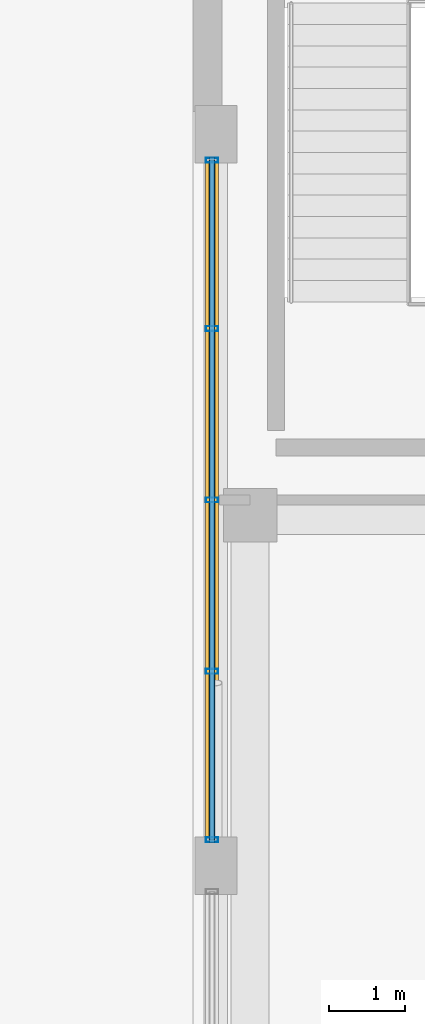
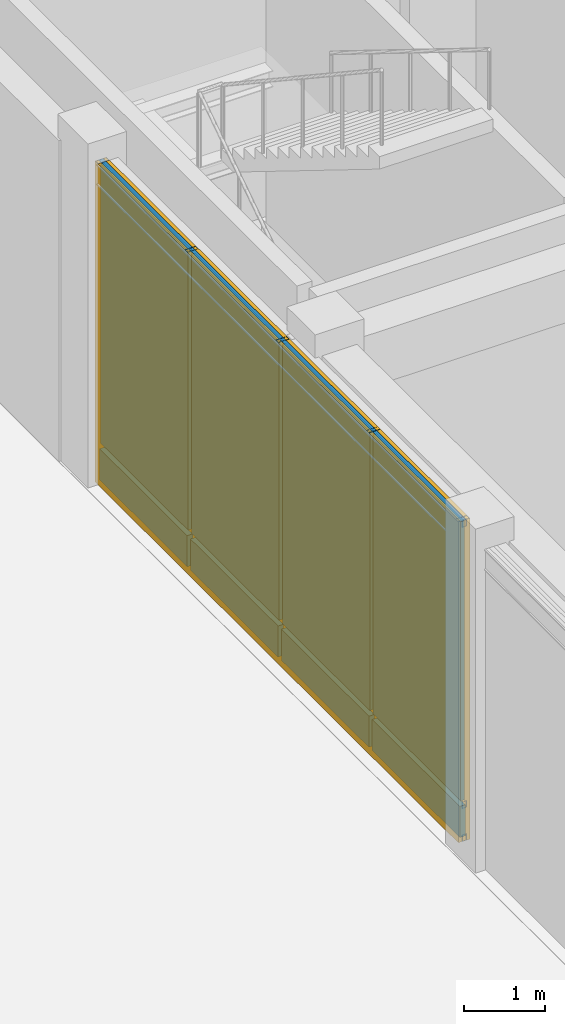
# One storey, part 16 of 24: 8 members, 8 plates, 1 curtain wall.
"""IFC4 building model written with IfcOpenShell, lengths in metres."""

from ifc_helpers import new_model, si_unit, direction, frame, frame_2d, origin, origin_2d, place, context, subcontext, project, spatial, rectangle, hollow_rectangle, extrude, material, layer, layer_set, material_profile, profile_set, type_object, element, aggregate, save


model = new_model("IFC4")

# Units and contexts
model_context = context("Model", 3, precision=1e-05, world=origin(), true_north=direction((0.0, 1.0)))
body_context = subcontext(model_context, "Body", "Model", "MODEL_VIEW")
ifc_project = project(units=[si_unit("LENGTHUNIT", "METRE"), si_unit("AREAUNIT", "SQUARE_METRE"), si_unit("VOLUMEUNIT", "CUBIC_METRE"), si_unit("PLANEANGLEUNIT", "RADIAN"), si_unit("MASSUNIT", "GRAM", prefix="KILO")], contexts=[model_context])

# Member
ifc_material_1 = material(Name="Anodized Aluminium 6063-T6", Category="aluminium")
ifc_material_profile_1 = material_profile(ifc_material_1, hollow_rectangle(XDim=0.06494140625, YDim=0.159912109375, WallThickness=0.00390625, at=origin_2d()), Name="Anodized Aluminium 6063-T6")
ifc_profile_set_1 = profile_set([ifc_material_profile_1], Name="Anodized Aluminium 6063-T6")
member_type_1 = type_object("IfcMemberType", Name="Curtain Wall Mullion 160", PredefinedType="MULLION", material=ifc_profile_set_1)
site_placement = place(None, origin())
building_placement = place(site_placement, origin())
storey_placement = place(building_placement, origin())
member_1_placement = place(storey_placement, frame((85.449951171875, 43.5400390625, 0.0), z_axis=(0.0, 0.0, 1.0), x_axis=(0.0, 1.0, 0.0)))
member_1 = element("IfcMember", 1, at=member_1_placement, type_object=member_type_1, Name="Curtain Wall Mullion CW-L00-LCOL-5-M01", PredefinedType="MULLION", context=body_context, shape_type="SweptSolid", body=[
    extrude(hollow_rectangle(XDim=0.06494140625, YDim=0.159912109375, WallThickness=0.00390625, at=origin_2d()), origin(), (0.0, 0.0, 1.0), 4.85009765625),
])

member_2_placement = place(storey_placement, frame((85.449951171875, 45.75, 0.0), z_axis=(0.0, 0.0, 1.0), x_axis=(0.0, 1.0, 0.0)))
member_2 = element("IfcMember", 2, at=member_2_placement, type_object=member_type_1, Name="Curtain Wall Mullion CW-L00-LCOL-5-M02", PredefinedType="MULLION", context=body_context, shape_type="SweptSolid", body=[
    extrude(hollow_rectangle(XDim=0.06494140625, YDim=0.159912109375, WallThickness=0.00390625, at=origin_2d()), origin(), (0.0, 0.0, 1.0), 4.85009765625),
])

member_3_placement = place(storey_placement, frame((85.449951171875, 48.0, 0.0), z_axis=(0.0, 0.0, 1.0), x_axis=(0.0, 1.0, 0.0)))
member_3 = element("IfcMember", 3, at=member_3_placement, type_object=member_type_1, Name="Curtain Wall Mullion CW-L00-LCOL-5-M03", PredefinedType="MULLION", context=body_context, shape_type="SweptSolid", body=[
    extrude(hollow_rectangle(XDim=0.06494140625, YDim=0.159912109375, WallThickness=0.00390625, at=origin_2d()), origin(), (0.0, 0.0, 1.0), 4.85009765625),
])

member_4_placement = place(storey_placement, frame((85.449951171875, 50.25, 0.0), z_axis=(0.0, 0.0, 1.0), x_axis=(0.0, 1.0, 0.0)))
member_4 = element("IfcMember", 4, at=member_4_placement, type_object=member_type_1, Name="Curtain Wall Mullion CW-L00-LCOL-5-M04", PredefinedType="MULLION", context=body_context, shape_type="SweptSolid", body=[
    extrude(hollow_rectangle(XDim=0.06494140625, YDim=0.159912109375, WallThickness=0.00390625, at=origin_2d()), origin(), (0.0, 0.0, 1.0), 4.85009765625),
])

member_5_placement = place(storey_placement, frame((85.449951171875, 52.4599609375, 0.0), z_axis=(0.0, 0.0, 1.0), x_axis=(0.0, 1.0, 0.0)))
member_5 = element("IfcMember", 5, at=member_5_placement, type_object=member_type_1, Name="Curtain Wall Mullion CW-L00-LCOL-5-M05", PredefinedType="MULLION", context=body_context, shape_type="SweptSolid", body=[
    extrude(hollow_rectangle(XDim=0.06494140625, YDim=0.159912109375, WallThickness=0.00390625, at=origin_2d()), origin(), (0.0, 0.0, 1.0), 4.85009765625),
])

ifc_material_profile_2 = material_profile(ifc_material_1, hollow_rectangle(XDim=0.06005859375, YDim=0.10009765625, WallThickness=0.0029296875, at=origin_2d()), Name="Anodized Aluminium 6063-T6")
ifc_profile_set_2 = profile_set([ifc_material_profile_2], Name="Anodized Aluminium 6063-T6")
member_type_2 = type_object("IfcMemberType", Name="Curtain Wall Transom 100", PredefinedType="USERDEFINED", material=ifc_profile_set_2)
member_6_placement = place(storey_placement, frame((85.449951171875, 43.5, 0.050048828125), z_axis=(0.0, 1.0, 0.0), x_axis=(-1.0, 0.0, 0.0)))
member_6 = element("IfcMember", 6, at=member_6_placement, type_object=member_type_2, Name="Curtain Wall Transom CW-L00-LCOL-5-T01", ObjectType="TRANSOM", PredefinedType="USERDEFINED", context=body_context, shape_type="SweptSolid", body=[
    extrude(hollow_rectangle(XDim=0.06005859375, YDim=0.10009765625, WallThickness=0.0029296875, at=origin_2d()), origin(), (0.0, 0.0, 1.0), 9.0),
])

member_7_placement = place(storey_placement, frame((85.449951171875, 43.5, 0.550048828125), z_axis=(0.0, 1.0, 0.0), x_axis=(-1.0, 0.0, 0.0)))
member_7 = element("IfcMember", 7, at=member_7_placement, type_object=member_type_2, Name="Curtain Wall Transom CW-L00-LCOL-5-T02", ObjectType="TRANSOM", PredefinedType="USERDEFINED", context=body_context, shape_type="SweptSolid", body=[
    extrude(hollow_rectangle(XDim=0.06005859375, YDim=0.10009765625, WallThickness=0.0029296875, at=origin_2d()), origin(), (0.0, 0.0, 1.0), 9.0),
])

member_8_placement = place(storey_placement, frame((85.449951171875, 43.5, 4.800048828125), z_axis=(0.0, 1.0, 0.0), x_axis=(-1.0, 0.0, 0.0)))
member_8 = element("IfcMember", 8, at=member_8_placement, type_object=member_type_2, Name="Curtain Wall Transom CW-L00-LCOL-5-T03", ObjectType="TRANSOM", PredefinedType="USERDEFINED", context=body_context, shape_type="SweptSolid", body=[
    extrude(hollow_rectangle(XDim=0.06005859375, YDim=0.10009765625, WallThickness=0.0029296875, at=origin_2d()), origin(), (0.0, 0.0, 1.0), 9.0),
])

# Plate
ifc_material_2 = material(Name="Bird-Friendly Fritted Triple Glazing", Category="glass")
ifc_layer_1 = layer(ifc_material_2, 0.052001953125, Name="Bird-Friendly Fritted Triple Glazing")
ifc_layer_set_1 = layer_set([ifc_layer_1], Name="Bird-Friendly Fritted Triple Glazing")
plate_type_1 = type_object("IfcPlateType", Name="Plate CWGlazing 52", PredefinedType="CURTAIN_PANEL", material=ifc_layer_set_1)
plate_1_placement = place(storey_placement, frame((85.449951171875, 44.625, 0.58984375), z_axis=(0.0, 0.0, 1.0), x_axis=(0.0, 1.0, 0.0)))
plate_1 = element("IfcPlate", 9, at=plate_1_placement, type_object=plate_type_1, Name="Vision Glazing Panel CW-L00-LCOL-5-GL01", PredefinedType="CURTAIN_PANEL", context=body_context, shape_type="SweptSolid", body=[
    extrude(rectangle(XDim=2.169921875, YDim=0.052001953125, at=origin_2d()), origin(), (0.0, 0.0, 1.0), 4.219970703125),
])

plate_2_placement = place(storey_placement, frame((85.449951171875, 46.875, 0.58984375), z_axis=(0.0, 0.0, 1.0), x_axis=(0.0, 1.0, 0.0)))
plate_2 = element("IfcPlate", 10, at=plate_2_placement, type_object=plate_type_1, Name="Vision Glazing Panel CW-L00-LCOL-5-GL02", PredefinedType="CURTAIN_PANEL", context=body_context, shape_type="SweptSolid", body=[
    extrude(rectangle(XDim=2.169921875, YDim=0.052001953125, at=origin_2d()), origin(), (0.0, 0.0, 1.0), 4.219970703125),
])

plate_3_placement = place(storey_placement, frame((85.449951171875, 49.125, 0.58984375), z_axis=(0.0, 0.0, 1.0), x_axis=(0.0, 1.0, 0.0)))
plate_3 = element("IfcPlate", 11, at=plate_3_placement, type_object=plate_type_1, Name="Vision Glazing Panel CW-L00-LCOL-5-GL03", PredefinedType="CURTAIN_PANEL", context=body_context, shape_type="SweptSolid", body=[
    extrude(rectangle(XDim=2.169921875, YDim=0.052001953125, at=origin_2d()), origin(), (0.0, 0.0, 1.0), 4.219970703125),
])

plate_4_placement = place(storey_placement, frame((85.449951171875, 51.375, 0.58984375), z_axis=(0.0, 0.0, 1.0), x_axis=(0.0, 1.0, 0.0)))
plate_4 = element("IfcPlate", 12, at=plate_4_placement, type_object=plate_type_1, Name="Vision Glazing Panel CW-L00-LCOL-5-GL04", PredefinedType="CURTAIN_PANEL", context=body_context, shape_type="SweptSolid", body=[
    extrude(rectangle(XDim=2.169921875, YDim=0.052001953125, at=origin_2d()), origin(), (0.0, 0.0, 1.0), 4.219970703125),
])

ifc_material_3 = material(Name="Insulated Aluminium Spandrel Panel", Category="aluminium")
ifc_layer_2 = layer(ifc_material_3, 0.080078125, Name="Insulated Aluminium Spandrel Panel")
ifc_layer_set_2 = layer_set([ifc_layer_2], Name="Insulated Aluminium Spandrel Panel")
plate_type_2 = type_object("IfcPlateType", Name="Plate CWSpandrel 80", PredefinedType="SHEET", material=ifc_layer_set_2)
plate_5_placement = place(storey_placement, frame((85.449951171875, 44.625, 0.0400390625), z_axis=(0.0, 0.0, 1.0), x_axis=(0.0, 1.0, 0.0)))
plate_5 = element("IfcPlate", 13, at=plate_5_placement, type_object=plate_type_2, Name="Spandrel Panel CW-L00-LCOL-5-SP01", PredefinedType="SHEET", context=body_context, shape_type="SweptSolid", body=[
    extrude(rectangle(XDim=2.169921875, YDim=0.080078125, at=origin_2d()), origin(), (0.0, 0.0, 1.0), 0.469970703125),
])

plate_6_placement = place(storey_placement, frame((85.449951171875, 46.875, 0.0400390625), z_axis=(0.0, 0.0, 1.0), x_axis=(0.0, 1.0, 0.0)))
plate_6 = element("IfcPlate", 14, at=plate_6_placement, type_object=plate_type_2, Name="Spandrel Panel CW-L00-LCOL-5-SP02", PredefinedType="SHEET", context=body_context, shape_type="SweptSolid", body=[
    extrude(rectangle(XDim=2.169921875, YDim=0.080078125, at=origin_2d()), origin(), (0.0, 0.0, 1.0), 0.469970703125),
])

plate_7_placement = place(storey_placement, frame((85.449951171875, 49.125, 0.0400390625), z_axis=(0.0, 0.0, 1.0), x_axis=(0.0, 1.0, 0.0)))
plate_7 = element("IfcPlate", 15, at=plate_7_placement, type_object=plate_type_2, Name="Spandrel Panel CW-L00-LCOL-5-SP03", PredefinedType="SHEET", context=body_context, shape_type="SweptSolid", body=[
    extrude(rectangle(XDim=2.169921875, YDim=0.080078125, at=origin_2d()), origin(), (0.0, 0.0, 1.0), 0.469970703125),
])

plate_8_placement = place(storey_placement, frame((85.449951171875, 51.375, 0.0400390625), z_axis=(0.0, 0.0, 1.0), x_axis=(0.0, 1.0, 0.0)))
plate_8 = element("IfcPlate", 16, at=plate_8_placement, type_object=plate_type_2, Name="Spandrel Panel CW-L00-LCOL-5-SP04", PredefinedType="SHEET", context=body_context, shape_type="SweptSolid", body=[
    extrude(rectangle(XDim=2.169921875, YDim=0.080078125, at=origin_2d()), origin(), (0.0, 0.0, 1.0), 0.469970703125),
])

# Site, building, storey
site = spatial("IfcSite", under=ifc_project, at=site_placement, CompositionType="ELEMENT")
building = spatial("IfcBuilding", under=site, at=building_placement, Name="Norrvale University Quadrangle", CompositionType="ELEMENT")
storey = spatial("IfcBuildingStorey", under=building, at=storey_placement, Name="L00", CompositionType="ELEMENT", Elevation=0.0)

# Curtain wall
ifc_material_4 = material(Name="Anodized Aluminium and Triple Glazing", Category="glass")
curtain_wall_type = type_object("IfcCurtainWallType", Name="Curtain Wall System 5 Lib Colonnade", PredefinedType="NOTDEFINED", material=ifc_material_4)
curtain_wall_placement = place(storey_placement, frame((85.449951171875, 43.5, 0.0), z_axis=(0.0, 0.0, 1.0), x_axis=(0.0, 1.0, 0.0)))
curtain_wall = element("IfcCurtainWall", 17, at=curtain_wall_placement, inside=storey, type_object=curtain_wall_type, Name="Curtain Wall CW System 5 Lib Colonnade CW-L00-LCOL-5", PredefinedType="NOTDEFINED", context=body_context, shape_type="SweptSolid", body=[
    extrude(rectangle(XDim=9.0, YDim=0.1650390625, at=frame_2d((4.5, 0.0))), origin(), (0.0, 0.0, 1.0), 4.85009765625),
])

aggregate(curtain_wall, [member_1, member_2, member_3, member_4, member_5, member_6, member_7, member_8, plate_5, plate_1, plate_6, plate_2, plate_7, plate_3, plate_8, plate_4])

save(model, "model.ifc")
